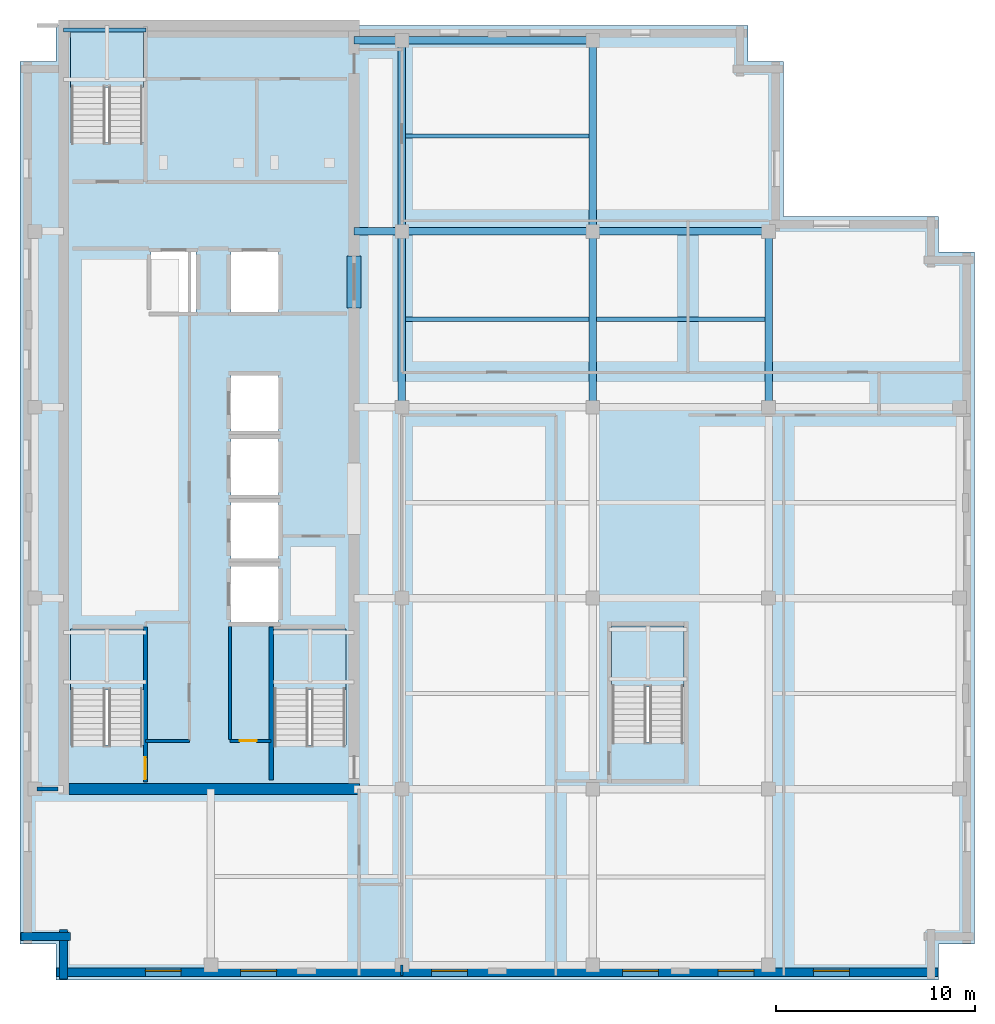
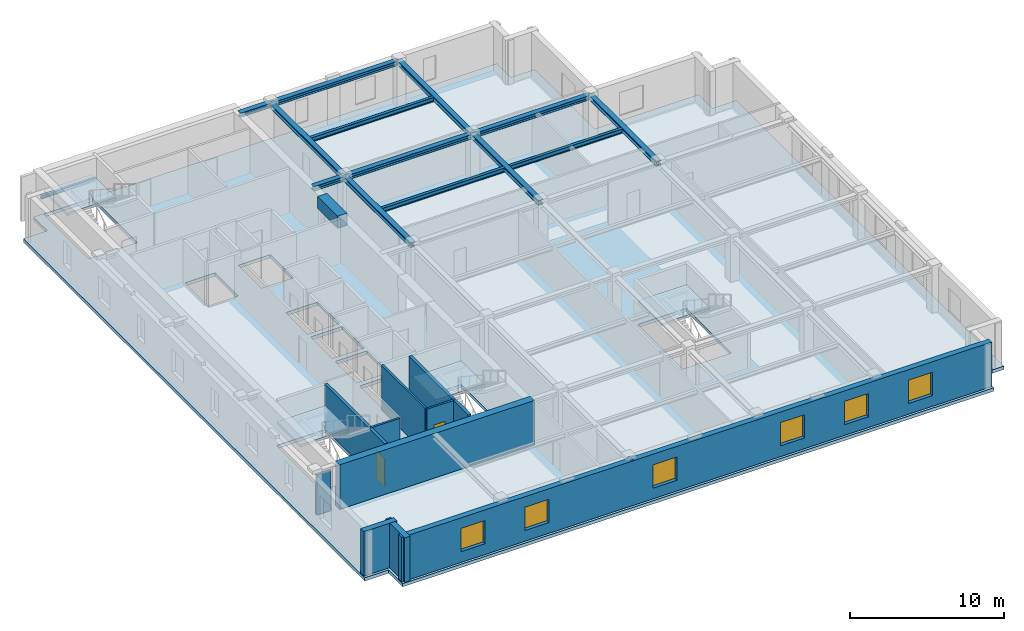
# One storey, part 2 of 10: 15 beams, 11 walls, 6 windows, 5 slabs, 2 doors, 8 openings, 4 elements without a shape of their own.
"""IFC4 building model written with IfcOpenShell, lengths in metres."""

from ifc_helpers import new_model, si_unit, direction, frame, frame_2d, origin, origin_2d, place, context, subcontext, project, spatial, polyline, rectangle, i_section, outline, extrude, material, layer, layer_set, material_profile, profile_set, type_object, element, fill, aggregate, save


model = new_model("IFC4")

# Units and contexts
model_context = context("Model", 3, precision=1e-05, world=origin(), true_north=direction((0.0, 1.0)))
body_context = subcontext(model_context, "Body", "Model", "MODEL_VIEW")
ifc_project = project(units=[si_unit("LENGTHUNIT", "METRE"), si_unit("AREAUNIT", "SQUARE_METRE"), si_unit("VOLUMEUNIT", "CUBIC_METRE"), si_unit("PLANEANGLEUNIT", "RADIAN"), si_unit("MASSUNIT", "GRAM", prefix="KILO")], contexts=[model_context])

# Site, building, storey
site_placement = place(None, origin())
site = spatial("IfcSite", under=ifc_project, at=site_placement, CompositionType="ELEMENT")
building_placement = place(site_placement, origin())
building = spatial("IfcBuilding", under=site, at=building_placement, Name="Norrvale University Quadrangle", CompositionType="ELEMENT")
storey_placement = place(building_placement, frame((0.0, 0.0, 292.39990234375)))
storey = spatial("IfcBuildingStorey", under=building, at=storey_placement, Name="L74", CompositionType="ELEMENT", Elevation=292.39990234375)

# Beams
ifc_material_1 = material(Name="Concrete C80/95", Category="concrete")
ifc_material_profile_1 = material_profile(ifc_material_1, rectangle(XDim=0.699951171875, YDim=0.949951171875, at=origin_2d()), Name="Concrete C80/95")
ifc_profile_set_1 = profile_set([ifc_material_profile_1], Name="Concrete C80/95")
beam_type_1 = type_object("IfcBeamType", Name="Beam Core Link 700x950", PredefinedType="LINTEL", material=ifc_profile_set_1)
beam_1_placement = place(storey_placement, frame((16.800048828125, 33.800048828125, 3.065185546875), z_axis=(0.0, 1.0, 0.0), x_axis=(-1.0, 0.0, 0.0)))
element("IfcBeam", 1, at=beam_1_placement, inside=storey, type_object=beam_type_1, Name="Core Coupling Lintel Beam L74-2", PredefinedType="LINTEL", context=body_context, shape_type="SweptSolid", body=[
    extrude(rectangle(XDim=0.699951171875, YDim=0.949951171875, at=origin_2d()), origin(), (0.0, 0.0, 1.0), 2.599853515625),
])
ifc_material_2 = material(Name="Steel 350W", Category="steel")
ifc_material_profile_2 = material_profile(ifc_material_2, i_section(OverallWidth=0.368896484375, OverallDepth=0.35595703125, WebThickness=0.01123046875, FlangeThickness=0.01806640625, FilletRadius=0.014892578125, at=origin_2d()), Name="Steel 350W")
ifc_profile_set_2 = profile_set([ifc_material_profile_2], Name="Steel 350W")
beam_type_2 = type_object("IfcBeamType", Name="Beam Crown W360x134", PredefinedType="BEAM", material=ifc_profile_set_2)
beam_2_placement = place(storey_placement, frame((19.199951171875, 37.64990234375, 3.362060546875), z_axis=(1.0, 0.0, 0.0), x_axis=(0.0, 1.0, 0.0)))
element("IfcBeam", 2, at=beam_2_placement, inside=storey, type_object=beam_type_2, Name="Beam Crown W360x134 BM-L74-GX013", PredefinedType="BEAM", context=body_context, shape_type="SweptSolid", body=[
    extrude(i_section(OverallWidth=0.368896484375, OverallDepth=0.35595703125, WebThickness=0.01123046875, FlangeThickness=0.01806640625, FilletRadius=0.014892578125, at=origin_2d()), origin(), (0.0, 0.0, 1.0), 9.60009765625),
])
beam_3_placement = place(storey_placement, frame((28.800048828125, 37.64990234375, 3.362060546875), z_axis=(1.0, 0.0, 0.0), x_axis=(0.0, 1.0, 0.0)))
element("IfcBeam", 3, at=beam_3_placement, inside=storey, type_object=beam_type_2, Name="Beam Crown W360x134 BM-L74-GX014", PredefinedType="BEAM", context=body_context, shape_type="SweptSolid", body=[
    extrude(i_section(OverallWidth=0.368896484375, OverallDepth=0.35595703125, WebThickness=0.01123046875, FlangeThickness=0.01806640625, FilletRadius=0.014892578125, at=origin_2d()), origin(), (0.0, 0.0, 1.0), 8.849853515625),
])
beam_4_placement = place(storey_placement, frame((19.199951171875, 47.25, 3.362060546875), z_axis=(1.0, 0.0, 0.0), x_axis=(0.0, 1.0, 0.0)))
element("IfcBeam", 4, at=beam_4_placement, inside=storey, type_object=beam_type_2, Name="Beam Crown W360x134 BM-L74-GX015", PredefinedType="BEAM", context=body_context, shape_type="SweptSolid", body=[
    extrude(i_section(OverallWidth=0.368896484375, OverallDepth=0.35595703125, WebThickness=0.01123046875, FlangeThickness=0.01806640625, FilletRadius=0.014892578125, at=origin_2d()), origin(), (0.0, 0.0, 1.0), 9.60009765625),
])
beam_5_placement = place(storey_placement, frame((19.199951171875, 28.800048828125, 3.362060546875), z_axis=(0.0, 1.0, 0.0), x_axis=(-1.0, 0.0, 0.0)))
element("IfcBeam", 5, at=beam_5_placement, inside=storey, type_object=beam_type_2, Name="Beam Crown W360x134 BM-L74-GY022", PredefinedType="BEAM", context=body_context, shape_type="SweptSolid", body=[
    extrude(i_section(OverallWidth=0.368896484375, OverallDepth=0.35595703125, WebThickness=0.01123046875, FlangeThickness=0.01806640625, FilletRadius=0.014892578125, at=origin_2d()), origin(), (0.0, 0.0, 1.0), 8.849853515625),
])
beam_6_placement = place(storey_placement, frame((19.199951171875, 37.64990234375, 3.362060546875), z_axis=(0.0, 1.0, 0.0), x_axis=(-1.0, 0.0, 0.0)))
element("IfcBeam", 6, at=beam_6_placement, inside=storey, type_object=beam_type_2, Name="Beam Crown W360x134 BM-L74-GY023", PredefinedType="BEAM", context=body_context, shape_type="SweptSolid", body=[
    extrude(i_section(OverallWidth=0.368896484375, OverallDepth=0.35595703125, WebThickness=0.01123046875, FlangeThickness=0.01806640625, FilletRadius=0.014892578125, at=origin_2d()), origin(), (0.0, 0.0, 1.0), 9.60009765625),
])
beam_7_placement = place(storey_placement, frame((28.800048828125, 28.800048828125, 3.362060546875), z_axis=(0.0, 1.0, 0.0), x_axis=(-1.0, 0.0, 0.0)))
element("IfcBeam", 7, at=beam_7_placement, inside=storey, type_object=beam_type_2, Name="Beam Crown W360x134 BM-L74-GY027", PredefinedType="BEAM", context=body_context, shape_type="SweptSolid", body=[
    extrude(i_section(OverallWidth=0.368896484375, OverallDepth=0.35595703125, WebThickness=0.01123046875, FlangeThickness=0.01806640625, FilletRadius=0.014892578125, at=origin_2d()), origin(), (0.0, 0.0, 1.0), 8.849853515625),
])
beam_8_placement = place(storey_placement, frame((28.800048828125, 37.64990234375, 3.362060546875), z_axis=(0.0, 1.0, 0.0), x_axis=(-1.0, 0.0, 0.0)))
element("IfcBeam", 8, at=beam_8_placement, inside=storey, type_object=beam_type_2, Name="Beam Crown W360x134 BM-L74-GY028", PredefinedType="BEAM", context=body_context, shape_type="SweptSolid", body=[
    extrude(i_section(OverallWidth=0.368896484375, OverallDepth=0.35595703125, WebThickness=0.01123046875, FlangeThickness=0.01806640625, FilletRadius=0.014892578125, at=origin_2d()), origin(), (0.0, 0.0, 1.0), 9.60009765625),
])
beam_9_placement = place(storey_placement, frame((37.64990234375, 28.800048828125, 3.362060546875), z_axis=(0.0, 1.0, 0.0), x_axis=(-1.0, 0.0, 0.0)))
element("IfcBeam", 9, at=beam_9_placement, inside=storey, type_object=beam_type_2, Name="Beam Crown W360x134 BM-L74-GY032", PredefinedType="BEAM", context=body_context, shape_type="SweptSolid", body=[
    extrude(i_section(OverallWidth=0.368896484375, OverallDepth=0.35595703125, WebThickness=0.01123046875, FlangeThickness=0.01806640625, FilletRadius=0.014892578125, at=origin_2d()), origin(), (0.0, 0.0, 1.0), 8.849853515625),
])
for number, where, z_axis, x_axis, name in (
    (10, (16.800048828125, 37.64990234375, 3.362060546875), (1.0, 0.0, 0.0), (0.0, 1.0, 0.0), "Beam Crown W360x134 BM-L74-GCE042"),
    (11, (16.800048828125, 47.25, 3.362060546875), (1.0, 0.0, 0.0), (0.0, 1.0, 0.0), "Beam Crown W360x134 BM-L74-GCE043"),
):
    element("IfcBeam", number, at=place(storey_placement, frame(where, z_axis=z_axis, x_axis=x_axis)), inside=storey, type_object=beam_type_2, Name=name, PredefinedType="BEAM", context=body_context, shape_type="SweptSolid", body=[
        extrude(i_section(OverallWidth=0.368896484375, OverallDepth=0.35595703125, WebThickness=0.01123046875, FlangeThickness=0.01806640625, FilletRadius=0.014892578125, at=origin_2d()), origin(), (0.0, 0.0, 1.0), 2.39990234375),
    ])
ifc_material_profile_3 = material_profile(ifc_material_2, i_section(OverallWidth=0.205078125, OverallDepth=0.35400390625, WebThickness=0.009521484375, FlangeThickness=0.016845703125, FilletRadius=0.011962890625, at=origin_2d()), Name="Steel 350W")
ifc_profile_set_3 = profile_set([ifc_material_profile_3], Name="Steel 350W")
beam_type_3 = type_object("IfcBeamType", Name="Beam Crown W360x79", PredefinedType="BEAM", material=ifc_profile_set_3)
for number, where, z_axis, x_axis, name in (
    (12, (19.384521484375, 33.22509765625, 3.363037109375), (1.0, 0.0, 0.0), (0.0, 1.0, 0.0), "Beam Crown W360x79 BM-L74-J047"),
    (13, (19.384521484375, 42.449951171875, 3.363037109375), (1.0, 0.0, 0.0), (0.0, 1.0, 0.0), "Beam Crown W360x79 BM-L74-J048"),
):
    element("IfcBeam", number, at=place(storey_placement, frame(where, z_axis=z_axis, x_axis=x_axis)), inside=storey, type_object=beam_type_3, Name=name, PredefinedType="BEAM", context=body_context, shape_type="SweptSolid", body=[
        extrude(i_section(OverallWidth=0.205078125, OverallDepth=0.35400390625, WebThickness=0.009521484375, FlangeThickness=0.016845703125, FilletRadius=0.011962890625, at=origin_2d()), origin(), (0.0, 0.0, 1.0), 9.23095703125),
    ])
beam_10_placement = place(storey_placement, frame((28.984619140625, 33.22509765625, 3.363037109375), z_axis=(1.0, 0.0, 0.0), x_axis=(0.0, 1.0, 0.0)))
element("IfcBeam", 14, at=beam_10_placement, inside=storey, type_object=beam_type_3, Name="Beam Crown W360x79 BM-L74-J051", PredefinedType="BEAM", context=body_context, shape_type="SweptSolid", body=[
    extrude(i_section(OverallWidth=0.205078125, OverallDepth=0.35400390625, WebThickness=0.009521484375, FlangeThickness=0.016845703125, FilletRadius=0.011962890625, at=origin_2d()), origin(), (0.0, 0.0, 1.0), 8.48095703125),
])
ifc_material_profile_4 = material_profile(ifc_material_2, i_section(OverallWidth=0.201904296875, OverallDepth=0.2470703125, WebThickness=0.00732421875, FlangeThickness=0.010986328125, FilletRadius=0.011962890625, at=origin_2d()), Name="Steel 350W")
ifc_profile_set_4 = profile_set([ifc_material_profile_4], Name="Steel 350W")
beam_type_4 = type_object("IfcBeamType", Name="Beam Stair W250x49", PredefinedType="BEAM", material=ifc_profile_set_4)
beam_11_placement = place(storey_placement, frame((2.199951171875, 47.77001953125, 1.57666015625), z_axis=(1.0, 0.0, 0.0), x_axis=(0.0, 1.0, 0.0)))
element("IfcBeam", 15, at=beam_11_placement, inside=storey, type_object=beam_type_4, Name="Stair Mid-Landing Rear Beam ST-02 L74", PredefinedType="BEAM", context=body_context, shape_type="SweptSolid", body=[
    extrude(i_section(OverallWidth=0.201904296875, OverallDepth=0.2470703125, WebThickness=0.00732421875, FlangeThickness=0.010986328125, FilletRadius=0.011962890625, at=origin_2d()), origin(), (0.0, 0.0, 1.0), 4.14013671875),
])

# Stair, slab
ifc_material_3 = material(Name="Concrete C40/50", Category="concrete")
stair_type = type_object("IfcStairType", Name="Stair Tower Typ 3800", PredefinedType="TWO_STRAIGHT_RUN_STAIR", material=ifc_material_3)
stair_1_placement = place(storey_placement, origin())
stair_1 = element("IfcStair", 16, at=stair_1_placement, inside=storey, type_object=stair_type, Name="Exit Stair ST-01 L74", PredefinedType="TWO_STRAIGHT_RUN_STAIR")
ifc_layer_1 = layer(ifc_material_3, 0.199951171875, Name="Concrete C40/50")
ifc_layer_set_1 = layer_set([ifc_layer_1], Name="Concrete C40/50")
slab_type_1 = type_object("IfcSlabType", Name="Slab Landing 200", PredefinedType="LANDING", material=ifc_layer_set_1)
slab_1_placement = place(storey_placement, frame((0.0, 0.0, 1.7001953125)))
slab_1 = element("IfcSlab", 17, at=slab_1_placement, type_object=slab_type_1, Name="Exit Stair ST-01 L74 Mid Landing", PredefinedType="LANDING", context=body_context, shape_type="SweptSolid", body=[
    extrude(outline(polyline([(2.550048828125, 14.590087890625), (6.199951171875, 14.590087890625), (6.199951171875, 17.64990234375), (2.550048828125, 17.64990234375), (2.550048828125, 14.590087890625)])), origin(), (0.0, 0.0, 1.0), 0.199951171875),
])
aggregate(stair_1, [slab_1])

stair_2_placement = place(storey_placement, origin())
stair_2 = element("IfcStair", 18, at=stair_2_placement, inside=storey, type_object=stair_type, Name="Exit Stair ST-02 L74", PredefinedType="TWO_STRAIGHT_RUN_STAIR")
slab_2_placement = place(storey_placement, frame((0.0, 0.0, 1.7001953125)))
slab_2 = element("IfcSlab", 19, at=slab_2_placement, type_object=slab_type_1, Name="Exit Stair ST-02 L74 Mid Landing", PredefinedType="LANDING", context=body_context, shape_type="SweptSolid", body=[
    extrude(outline(polyline([(2.550048828125, 44.889892578125), (6.199951171875, 44.889892578125), (6.199951171875, 47.949951171875), (2.550048828125, 47.949951171875), (2.550048828125, 44.889892578125)])), origin(), (0.0, 0.0, 1.0), 0.199951171875),
])
aggregate(stair_2, [slab_2])

stair_3_placement = place(storey_placement, origin())
stair_3 = element("IfcStair", 20, at=stair_3_placement, inside=storey, type_object=stair_type, Name="Exit Stair ST-03 L74", PredefinedType="TWO_STRAIGHT_RUN_STAIR")
slab_3_placement = place(storey_placement, frame((0.0, 0.0, 1.7001953125)))
slab_3 = element("IfcSlab", 21, at=slab_3_placement, type_object=slab_type_1, Name="Exit Stair ST-03 L74 Mid Landing", PredefinedType="LANDING", context=body_context, shape_type="SweptSolid", body=[
    extrude(outline(polyline([(12.75, 14.590087890625), (16.39990234375, 14.590087890625), (16.39990234375, 17.64990234375), (12.75, 17.64990234375), (12.75, 14.590087890625)])), origin(), (0.0, 0.0, 1.0), 0.199951171875),
])
aggregate(stair_3, [slab_3])

stair_4_placement = place(storey_placement, origin())
stair_4 = element("IfcStair", 22, at=stair_4_placement, inside=storey, type_object=stair_type, Name="Exit Stair ST-04 L74", PredefinedType="TWO_STRAIGHT_RUN_STAIR")
slab_4_placement = place(storey_placement, frame((0.0, 0.0, 1.7001953125)))
slab_4 = element("IfcSlab", 23, at=slab_4_placement, type_object=slab_type_1, Name="Exit Stair ST-04 L74 Mid Landing", PredefinedType="LANDING", context=body_context, shape_type="SweptSolid", body=[
    extrude(outline(polyline([(29.75, 14.739990234375), (33.39990234375, 14.739990234375), (33.39990234375, 17.800048828125), (29.75, 17.800048828125), (29.75, 14.739990234375)])), origin(), (0.0, 0.0, 1.0), 0.199951171875),
])
aggregate(stair_4, [slab_4])

# Slab
ifc_layer_2 = layer(ifc_material_3, 0.260009765625, Name="Concrete C40/50")
ifc_layer_set_2 = layer_set([ifc_layer_2], Name="Concrete C40/50")
slab_type_2 = type_object("IfcSlabType", Name="Slab Tower Typ 260", PredefinedType="FLOOR", material=ifc_layer_set_2)
slab_5_placement = place(storey_placement, frame((0.0, 0.0, -0.260009765625)))
element("IfcSlab", 24, at=slab_5_placement, inside=storey, type_object=slab_type_2, Name="Tower L74 Floor Slab", PredefinedType="FLOOR", context=body_context, shape_type="SweptSolid", body=[
    extrude(outline(polyline([(1.800048828125, 0.0), (46.199951171875, 0.0), (46.199951171875, 1.800048828125), (48.0, 1.800048828125), (48.0, 36.60009765625), (46.199951171875, 36.60009765625), (46.199951171875, 38.39990234375), (38.39990234375, 38.39990234375), (38.39990234375, 46.199951171875), (36.60009765625, 46.199951171875), (36.60009765625, 48.0), (1.800048828125, 48.0), (1.800048828125, 46.199951171875), (0.0, 46.199951171875), (0.0, 1.800048828125), (1.800048828125, 1.800048828125), (1.800048828125, 0.0)]), holes=[polyline([(2.550048828125, 11.81005859375), (6.199951171875, 11.81005859375), (6.199951171875, 17.64990234375), (2.550048828125, 17.64990234375), (2.550048828125, 11.81005859375)]), polyline([(2.550048828125, 42.110107421875), (6.199951171875, 42.110107421875), (6.199951171875, 47.949951171875), (2.550048828125, 47.949951171875), (2.550048828125, 42.110107421875)]), polyline([(12.75, 11.81005859375), (16.39990234375, 11.81005859375), (16.39990234375, 17.64990234375), (12.75, 17.64990234375), (12.75, 11.81005859375)]), polyline([(29.75, 11.9599609375), (33.39990234375, 11.9599609375), (33.39990234375, 17.800048828125), (29.75, 17.800048828125), (29.75, 11.9599609375)]), polyline([(10.60009765625, 18.0), (13.0, 18.0), (13.0, 20.800048828125), (10.60009765625, 20.800048828125), (10.60009765625, 18.0)]), polyline([(10.60009765625, 21.199951171875), (13.0, 21.199951171875), (13.0, 24.0), (10.60009765625, 24.0), (10.60009765625, 21.199951171875)]), polyline([(10.60009765625, 24.39990234375), (13.0, 24.39990234375), (13.0, 27.199951171875), (10.60009765625, 27.199951171875), (10.60009765625, 24.39990234375)]), polyline([(10.60009765625, 27.60009765625), (13.0, 27.60009765625), (13.0, 30.39990234375), (10.60009765625, 30.39990234375), (10.60009765625, 27.60009765625)]), polyline([(6.60009765625, 33.60009765625), (8.85009765625, 33.60009765625), (8.85009765625, 36.60009765625), (6.60009765625, 36.60009765625), (6.60009765625, 33.60009765625)]), polyline([(10.60009765625, 33.60009765625), (13.0, 33.60009765625), (13.0, 36.60009765625), (10.60009765625, 36.60009765625), (10.60009765625, 33.60009765625)])]), origin(), (0.0, 0.0, 1.0), 0.260009765625),
])

# Wall, openings, windows
ifc_material_4 = material(Name="Buff Norman Clay Brick Masonry", Category="masonry")
ifc_layer_3 = layer(ifc_material_4, 0.419921875, Name="Buff Norman Clay Brick Masonry")
ifc_layer_set_3 = layer_set([ifc_layer_3], Name="Buff Norman Clay Brick Masonry")
wall_type_1 = type_object("IfcWallType", Name="Wall Buff Brick 420", PredefinedType="SOLIDWALL", material=ifc_layer_set_3)
wall_1_placement = place(storey_placement, frame((1.840087890625, 0.389892578125, 0.0), z_axis=(0.0, 0.0, 1.0), x_axis=(1.0, 0.0, 0.0)))
wall_1 = element("IfcWall", 25, at=wall_1_placement, inside=storey, type_object=wall_type_1, Name="Exterior Brick Facade Wall L74-01.1", PredefinedType="SOLIDWALL", context=body_context, shape_type="SweptSolid", body=[
    extrude(rectangle(XDim=44.31982421875, YDim=0.419921875, at=frame_2d((22.159912109375, 0.0))), origin(), (0.0, 0.0, 1.0), 3.5400390625),
])
opening_1_placement = place(wall_1_placement, frame((4.4599609375, 0.0, 0.85009765625)))
opening_1 = element("IfcOpeningElement", 26, at=opening_1_placement, cuts=wall_1, Name="Opening W01", PredefinedType="OPENING", context=body_context, shape_type="SweptSolid", body=[
    extrude(rectangle(XDim=1.800048828125, YDim=1.85009765625, at=frame_2d((0.89990234375, 0.925048828125))), frame((0.0, 0.221923828125, 0.0), z_axis=(0.0, -1.0, 0.0), x_axis=(1.0, 0.0, 0.0)), (0.0, 0.0, 1.0), 0.44384765625),
])
opening_2_placement = place(wall_1_placement, frame((9.260009765625, 0.0, 0.85009765625)))
opening_2 = element("IfcOpeningElement", 27, at=opening_2_placement, cuts=wall_1, Name="Opening W01", PredefinedType="OPENING", context=body_context, shape_type="SweptSolid", body=[
    extrude(rectangle(XDim=1.800048828125, YDim=1.85009765625, at=frame_2d((0.89990234375, 0.925048828125))), frame((0.0, 0.221923828125, 0.0), z_axis=(0.0, -1.0, 0.0), x_axis=(1.0, 0.0, 0.0)), (0.0, 0.0, 1.0), 0.44384765625),
])
opening_3_placement = place(wall_1_placement, frame((18.860107421875, 0.0, 0.85009765625)))
opening_3 = element("IfcOpeningElement", 28, at=opening_3_placement, cuts=wall_1, Name="Opening W01", PredefinedType="OPENING", context=body_context, shape_type="SweptSolid", body=[
    extrude(rectangle(XDim=1.800048828125, YDim=1.85009765625, at=frame_2d((0.89990234375, 0.925048828125))), frame((0.0, 0.221923828125, 0.0), z_axis=(0.0, -1.0, 0.0), x_axis=(1.0, 0.0, 0.0)), (0.0, 0.0, 1.0), 0.44384765625),
])
opening_4_placement = place(wall_1_placement, frame((28.4599609375, 0.0, 0.85009765625)))
opening_4 = element("IfcOpeningElement", 29, at=opening_4_placement, cuts=wall_1, Name="Opening W01", PredefinedType="OPENING", context=body_context, shape_type="SweptSolid", body=[
    extrude(rectangle(XDim=1.800048828125, YDim=1.85009765625, at=frame_2d((0.89990234375, 0.925048828125))), frame((0.0, 0.221923828125, 0.0), z_axis=(0.0, -1.0, 0.0), x_axis=(1.0, 0.0, 0.0)), (0.0, 0.0, 1.0), 0.44384765625),
])
opening_5_placement = place(wall_1_placement, frame((33.260009765625, 0.0, 0.85009765625)))
opening_5 = element("IfcOpeningElement", 30, at=opening_5_placement, cuts=wall_1, Name="Opening W01", PredefinedType="OPENING", context=body_context, shape_type="SweptSolid", body=[
    extrude(rectangle(XDim=1.800048828125, YDim=1.85009765625, at=frame_2d((0.89990234375, 0.925048828125))), frame((0.0, 0.221923828125, 0.0), z_axis=(0.0, -1.0, 0.0), x_axis=(1.0, 0.0, 0.0)), (0.0, 0.0, 1.0), 0.44384765625),
])
opening_6_placement = place(wall_1_placement, frame((38.06005859375, 0.0, 0.85009765625)))
opening_6 = element("IfcOpeningElement", 31, at=opening_6_placement, cuts=wall_1, Name="Opening W01", PredefinedType="OPENING", context=body_context, shape_type="SweptSolid", body=[
    extrude(rectangle(XDim=1.800048828125, YDim=1.85009765625, at=frame_2d((0.89990234375, 0.925048828125))), frame((0.0, 0.221923828125, 0.0), z_axis=(0.0, -1.0, 0.0), x_axis=(1.0, 0.0, 0.0)), (0.0, 0.0, 1.0), 0.44384765625),
])
ifc_material_5 = material(Name="Triple Low-E Argon Glazing", Category="glass")
window_type = type_object("IfcWindowType", Name="Window Academic 1800x2300", PartitioningType="DOUBLE_PANEL_VERTICAL", PredefinedType="WINDOW", material=ifc_material_5)
window_1_placement = place(opening_1_placement, origin())
window_1 = element("IfcWindow", 32, at=window_1_placement, inside=storey, type_object=window_type, Name="Window Academic 1800x2300 WIN-L74-E01-1-01", OverallHeight=1.85009765625, OverallWidth=1.800048828125, PartitioningType="DOUBLE_PANEL_VERTICAL", PredefinedType="WINDOW", context=body_context, shape_type="SweptSolid", body=[
    extrude(rectangle(XDim=1.800048828125, YDim=1.85009765625, at=frame_2d((0.89990234375, 0.925048828125))), frame((0.0, 0.110107421875, 0.0), z_axis=(0.0, -1.0, 0.0), x_axis=(1.0, 0.0, 0.0)), (0.0, 0.0, 1.0), 0.06005859375),
])
fill(opening_1, window_1)
window_2_placement = place(opening_2_placement, origin())
window_2 = element("IfcWindow", 33, at=window_2_placement, inside=storey, type_object=window_type, Name="Window Academic 1800x2300 WIN-L74-E01-1-02", OverallHeight=1.85009765625, OverallWidth=1.800048828125, PartitioningType="DOUBLE_PANEL_VERTICAL", PredefinedType="WINDOW", context=body_context, shape_type="SweptSolid", body=[
    extrude(rectangle(XDim=1.800048828125, YDim=1.85009765625, at=frame_2d((0.89990234375, 0.925048828125))), frame((0.0, 0.110107421875, 0.0), z_axis=(0.0, -1.0, 0.0), x_axis=(1.0, 0.0, 0.0)), (0.0, 0.0, 1.0), 0.06005859375),
])
fill(opening_2, window_2)
window_3_placement = place(opening_3_placement, origin())
window_3 = element("IfcWindow", 34, at=window_3_placement, inside=storey, type_object=window_type, Name="Window Academic 1800x2300 WIN-L74-E01-1-03", OverallHeight=1.85009765625, OverallWidth=1.800048828125, PartitioningType="DOUBLE_PANEL_VERTICAL", PredefinedType="WINDOW", context=body_context, shape_type="SweptSolid", body=[
    extrude(rectangle(XDim=1.800048828125, YDim=1.85009765625, at=frame_2d((0.89990234375, 0.925048828125))), frame((0.0, 0.110107421875, 0.0), z_axis=(0.0, -1.0, 0.0), x_axis=(1.0, 0.0, 0.0)), (0.0, 0.0, 1.0), 0.06005859375),
])
fill(opening_3, window_3)
window_4_placement = place(opening_4_placement, origin())
window_4 = element("IfcWindow", 35, at=window_4_placement, inside=storey, type_object=window_type, Name="Window Academic 1800x2300 WIN-L74-E01-1-04", OverallHeight=1.85009765625, OverallWidth=1.800048828125, PartitioningType="DOUBLE_PANEL_VERTICAL", PredefinedType="WINDOW", context=body_context, shape_type="SweptSolid", body=[
    extrude(rectangle(XDim=1.800048828125, YDim=1.85009765625, at=frame_2d((0.89990234375, 0.925048828125))), frame((0.0, 0.110107421875, 0.0), z_axis=(0.0, -1.0, 0.0), x_axis=(1.0, 0.0, 0.0)), (0.0, 0.0, 1.0), 0.06005859375),
])
fill(opening_4, window_4)
window_5_placement = place(opening_5_placement, origin())
window_5 = element("IfcWindow", 36, at=window_5_placement, inside=storey, type_object=window_type, Name="Window Academic 1800x2300 WIN-L74-E01-1-05", OverallHeight=1.85009765625, OverallWidth=1.800048828125, PartitioningType="DOUBLE_PANEL_VERTICAL", PredefinedType="WINDOW", context=body_context, shape_type="SweptSolid", body=[
    extrude(rectangle(XDim=1.800048828125, YDim=1.85009765625, at=frame_2d((0.89990234375, 0.925048828125))), frame((0.0, 0.110107421875, 0.0), z_axis=(0.0, -1.0, 0.0), x_axis=(1.0, 0.0, 0.0)), (0.0, 0.0, 1.0), 0.06005859375),
])
fill(opening_5, window_5)
window_6_placement = place(opening_6_placement, origin())
window_6 = element("IfcWindow", 37, at=window_6_placement, inside=storey, type_object=window_type, Name="Window Academic 1800x2300 WIN-L74-E01-1-06", OverallHeight=1.85009765625, OverallWidth=1.800048828125, PartitioningType="DOUBLE_PANEL_VERTICAL", PredefinedType="WINDOW", context=body_context, shape_type="SweptSolid", body=[
    extrude(rectangle(XDim=1.800048828125, YDim=1.85009765625, at=frame_2d((0.89990234375, 0.925048828125))), frame((0.0, 0.110107421875, 0.0), z_axis=(0.0, -1.0, 0.0), x_axis=(1.0, 0.0, 0.0)), (0.0, 0.0, 1.0), 0.06005859375),
])
fill(opening_6, window_6)

# Walls
for number, where, z_axis, x_axis, name in (
    (38, (0.0400390625, 2.18994140625, 0.0), (0.0, 0.0, 1.0), (1.0, 0.0, 0.0), "Exterior Brick Facade Wall L74-15.1"),
    (39, (2.18994140625, 2.5400390625, 0.0), (0.0, 0.0, 1.0), (0.0, -1.0, 0.0), "Exterior Brick Facade Wall L74-16.1"),
):
    element("IfcWall", number, at=place(storey_placement, frame(where, z_axis=z_axis, x_axis=x_axis)), inside=storey, type_object=wall_type_1, Name=name, PredefinedType="SOLIDWALL", context=body_context, shape_type="SweptSolid", body=[
        extrude(rectangle(XDim=2.5, YDim=0.419921875, at=frame_2d((1.25, 0.0))), origin(), (0.0, 0.0, 1.0), 3.5400390625),
    ])
ifc_material_6 = material(Name="Concrete C60/75", Category="concrete")
ifc_layer_4 = layer(ifc_material_6, 0.550048828125, Name="Concrete C60/75")
ifc_layer_set_4 = layer_set([ifc_layer_4], Name="Concrete C60/75")
wall_type_2 = type_object("IfcWallType", Name="Wall Core 550", PredefinedType="SHEAR", material=ifc_layer_set_4)
wall_2_placement = place(storey_placement, frame((2.47509765625, 9.60009765625, 0.0), z_axis=(0.0, 0.0, 1.0), x_axis=(1.0, 0.0, 0.0)))
element("IfcWall", 40, at=wall_2_placement, inside=storey, type_object=wall_type_2, Name="Tower Core Shear Wall L74-S", PredefinedType="SHEAR", context=body_context, shape_type="SweptSolid", body=[
    extrude(rectangle(XDim=14.599853515625, YDim=0.550048828125, at=frame_2d((7.2998046875, 0.0))), origin(), (0.0, 0.0, 1.0), 3.5400390625),
])
ifc_material_7 = material(Name="Standard Academic Gypsum Partition")
ifc_layer_5 = layer(ifc_material_7, 0.125, Name="Standard Academic Gypsum Partition")
ifc_layer_set_5 = layer_set([ifc_layer_5], Name="Standard Academic Gypsum Partition")
wall_type_3 = type_object("IfcWallType", Name="Wall Gypsum Academic 125", PredefinedType="PARTITIONING", material=ifc_layer_set_5)
wall_3_placement = place(storey_placement, frame((19.199951171875, 0.219970703125, 0.0), z_axis=(0.0, 0.0, 1.0), x_axis=(0.0, 1.0, 0.0)))
element("IfcWall", 41, at=wall_3_placement, inside=storey, type_object=wall_type_3, Name="Interior Partition WL-L74-SE-W0", PredefinedType="PARTITIONING", context=body_context, shape_type="SweptSolid", body=[
    extrude(rectangle(XDim=0.530029296875, YDim=0.125, at=frame_2d((0.26513671875, 0.0))), origin(), (0.0, 0.0, 1.0), 3.5400390625),
])

# Wall, opening, door
ifc_material_8 = material(Name="Fire-Rated Gypsum Stud Partition")
ifc_layer_6 = layer(ifc_material_8, 0.14990234375, Name="Fire-Rated Gypsum Stud Partition")
ifc_layer_set_6 = layer_set([ifc_layer_6], Name="Fire-Rated Gypsum Stud Partition")
wall_type_4 = type_object("IfcWallType", Name="Wall Gypsum Corridor 150", PredefinedType="PARTITIONING", material=ifc_layer_set_6)
wall_4_placement = place(storey_placement, frame((10.550048828125, 12.02001953125, 0.0), z_axis=(0.0, 0.0, 1.0), x_axis=(1.0, 0.0, 0.0)))
wall_4 = element("IfcWall", 42, at=wall_4_placement, inside=storey, type_object=wall_type_4, Name="Interior Partition WL-L74-SC-NR", PredefinedType="PARTITIONING", context=body_context, shape_type="SweptSolid", body=[
    extrude(rectangle(XDim=2.079833984375, YDim=0.14990234375, at=frame_2d((1.0400390625, 0.0))), origin(), (0.0, 0.0, 1.0), 3.5400390625),
])
opening_7_placement = place(wall_4_placement, frame((0.5, 0.0, 0.0)))
opening_7 = element("IfcOpeningElement", 43, at=opening_7_placement, cuts=wall_4, Name="Opening D10", PredefinedType="OPENING", context=body_context, shape_type="SweptSolid", body=[
    extrude(rectangle(XDim=0.85009765625, YDim=2.10009765625, at=frame_2d((0.425048828125, 1.050048828125))), frame((0.0, 0.0869140625, 0.0), z_axis=(0.0, -1.0, 0.0), x_axis=(1.0, 0.0, 0.0)), (0.0, 0.0, 1.0), 0.173828125),
])
ifc_material_9 = material(Name="Hollow Steel 350W Riser Fire Door", Category="steel")
door_type_1 = type_object("IfcDoorType", Name="Door Riser 850x2100", OperationType="NOTDEFINED", PredefinedType="DOOR", material=ifc_material_9)
door_1_placement = place(opening_7_placement, origin())
door_1 = element("IfcDoor", 44, at=door_1_placement, inside=storey, type_object=door_type_1, Name="Door Riser 850x2100 DR-L74-IDF", OperationType="SINGLE_SWING_RIGHT", OverallHeight=2.10009765625, OverallWidth=0.85009765625, PredefinedType="DOOR", context=body_context, shape_type="SweptSolid", body=[
    extrude(rectangle(XDim=0.85009765625, YDim=2.10009765625, at=frame_2d((0.425048828125, 1.050048828125))), frame((0.0, 0.02490234375, 0.0), z_axis=(0.0, -1.0, 0.0), x_axis=(1.0, 0.0, 0.0)), (0.0, 0.0, 1.0), 0.050048828125),
])
fill(opening_7, door_1)

# Walls
wall_5_placement = place(storey_placement, frame((10.550048828125, 12.094970703125, 0.0), z_axis=(0.0, 0.0, 1.0), x_axis=(0.0, 1.0, 0.0)))
element("IfcWall", 45, at=wall_5_placement, inside=storey, type_object=wall_type_4, Name="Interior Partition WL-L74-SC-WR", PredefinedType="PARTITIONING", context=body_context, shape_type="SweptSolid", body=[
    extrude(rectangle(XDim=5.679931640625, YDim=0.14990234375, at=frame_2d((2.83984375, 0.0))), origin(), (0.0, 0.0, 1.0), 3.5400390625),
])
wall_6_placement = place(storey_placement, frame((6.320068359375, 12.02001953125, 0.0), z_axis=(0.0, 0.0, 1.0), x_axis=(1.0, 0.0, 0.0)))
element("IfcWall", 46, at=wall_6_placement, inside=storey, type_object=wall_type_4, Name="Interior Partition WL-L74-REC-S", PredefinedType="PARTITIONING", context=body_context, shape_type="SweptSolid", body=[
    extrude(rectangle(XDim=2.199951171875, YDim=0.14990234375, at=frame_2d((1.10009765625, 0.0))), origin(), (0.0, 0.0, 1.0), 3.5400390625),
])
ifc_material_10 = material(Name="Concrete Blockwork 20 MPa Rated Wall", Category="masonry")
ifc_layer_7 = layer(ifc_material_10, 0.199951171875, Name="Concrete Blockwork 20 MPa Rated Wall")
ifc_layer_set_7 = layer_set([ifc_layer_7], Name="Concrete Blockwork 20 MPa Rated Wall")
wall_type_5 = type_object("IfcWallType", Name="Wall Lobby 200", PredefinedType="SOLIDWALL", material=ifc_layer_set_7)
wall_7_placement = place(storey_placement, frame((0.85009765625, 9.60009765625, 0.0), z_axis=(0.0, 0.0, 1.0), x_axis=(1.0, 0.0, 0.0)))
element("IfcWall", 47, at=wall_7_placement, inside=storey, type_object=wall_type_5, Name="Interior Partition WL-L74-CWRET-S", PredefinedType="SOLIDWALL", context=body_context, shape_type="SweptSolid", body=[
    extrude(rectangle(XDim=1.06982421875, YDim=0.199951171875, at=frame_2d((0.534912109375, 0.0))), origin(), (0.0, 0.0, 1.0), 3.18408203125),
])

# Wall, opening, door
ifc_material_11 = material(Name="Concrete Blockwork 20 MPa Fire Shaft", Category="masonry")
ifc_layer_8 = layer(ifc_material_11, 0.219970703125, Name="Concrete Blockwork 20 MPa Fire Shaft")
ifc_layer_set_8 = layer_set([ifc_layer_8], Name="Concrete Blockwork 20 MPa Fire Shaft")
wall_type_6 = type_object("IfcWallType", Name="Wall Shaft 220", PredefinedType="SOLIDWALL", material=ifc_layer_set_8)
wall_8_placement = place(storey_placement, frame((6.31005859375, 9.949951171875, 0.0), z_axis=(0.0, 0.0, 1.0), x_axis=(0.0, 1.0, 0.0)))
wall_8 = element("IfcWall", 48, at=wall_8_placement, inside=storey, type_object=wall_type_6, Name="Stair ST-01 East Shaft Wall L74", PredefinedType="SOLIDWALL", context=body_context, shape_type="SweptSolid", body=[
    extrude(rectangle(XDim=7.81005859375, YDim=0.219970703125, at=frame_2d((3.905029296875, 0.0))), origin(), (0.0, 0.0, 1.0), 3.5400390625),
])
opening_8_placement = place(wall_8_placement, frame((0.139892578125, 0.0, 0.0)))
opening_8 = element("IfcOpeningElement", 49, at=opening_8_placement, cuts=wall_8, Name="Opening D02", PredefinedType="OPENING", context=body_context, shape_type="SweptSolid", body=[
    extrude(rectangle(XDim=1.10009765625, YDim=2.199951171875, at=frame_2d((0.550048828125, 1.10009765625))), frame((0.0, 0.1220703125, 0.0), z_axis=(0.0, -1.0, 0.0), x_axis=(1.0, 0.0, 0.0)), (0.0, 0.0, 1.0), 0.243896484375),
])
ifc_material_12 = material(Name="Hollow Steel 350W Fire Door", Category="steel")
door_type_2 = type_object("IfcDoorType", Name="Door Stair Exit 1100x2200", OperationType="NOTDEFINED", PredefinedType="DOOR", material=ifc_material_12)
door_2_placement = place(opening_8_placement, origin())
door_2 = element("IfcDoor", 50, at=door_2_placement, inside=storey, type_object=door_type_2, Name="Door Stair Exit 1100x2200 DR-L74-ST01", OperationType="SINGLE_SWING_LEFT", OverallHeight=2.199951171875, OverallWidth=1.10009765625, PredefinedType="DOOR", context=body_context, shape_type="SweptSolid", body=[
    extrude(rectangle(XDim=1.10009765625, YDim=2.199951171875, at=frame_2d((0.550048828125, 1.10009765625))), frame((0.0, 0.02490234375, 0.0), z_axis=(0.0, -1.0, 0.0), x_axis=(1.0, 0.0, 0.0)), (0.0, 0.0, 1.0), 0.050048828125),
])
fill(opening_8, door_2)

# Wall
wall_9_placement = place(storey_placement, frame((12.639892578125, 10.050048828125, 0.0), z_axis=(0.0, 0.0, 1.0), x_axis=(0.0, 1.0, 0.0)))
element("IfcWall", 51, at=wall_9_placement, inside=storey, type_object=wall_type_6, Name="Stair ST-03 West Shaft Wall L74", PredefinedType="SOLIDWALL", context=body_context, shape_type="SweptSolid", body=[
    extrude(rectangle(XDim=7.7099609375, YDim=0.219970703125, at=frame_2d((3.85498046875, 0.0))), origin(), (0.0, 0.0, 1.0), 3.5400390625),
])

save(model, "model.ifc")
